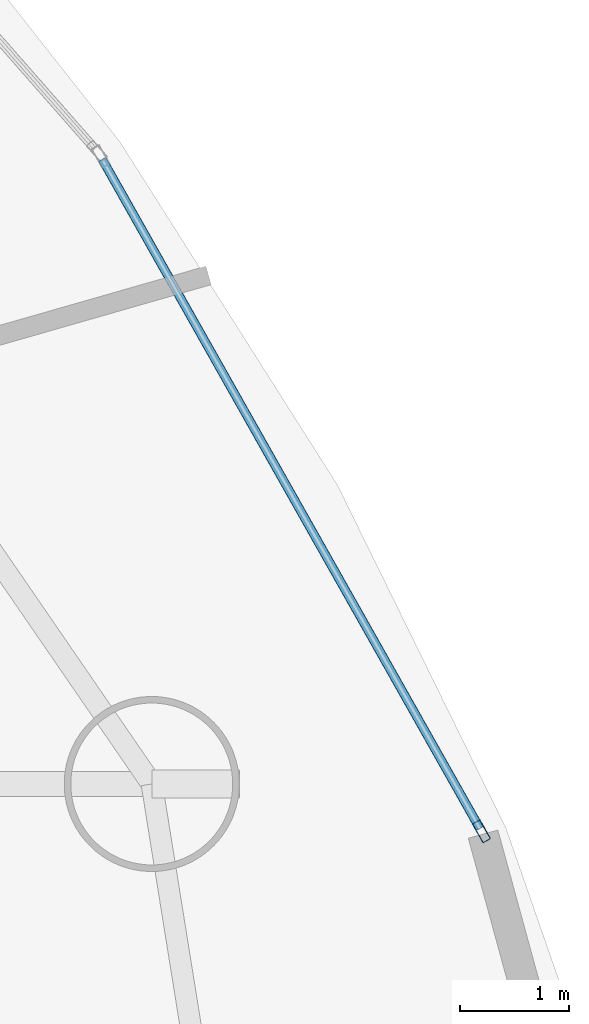
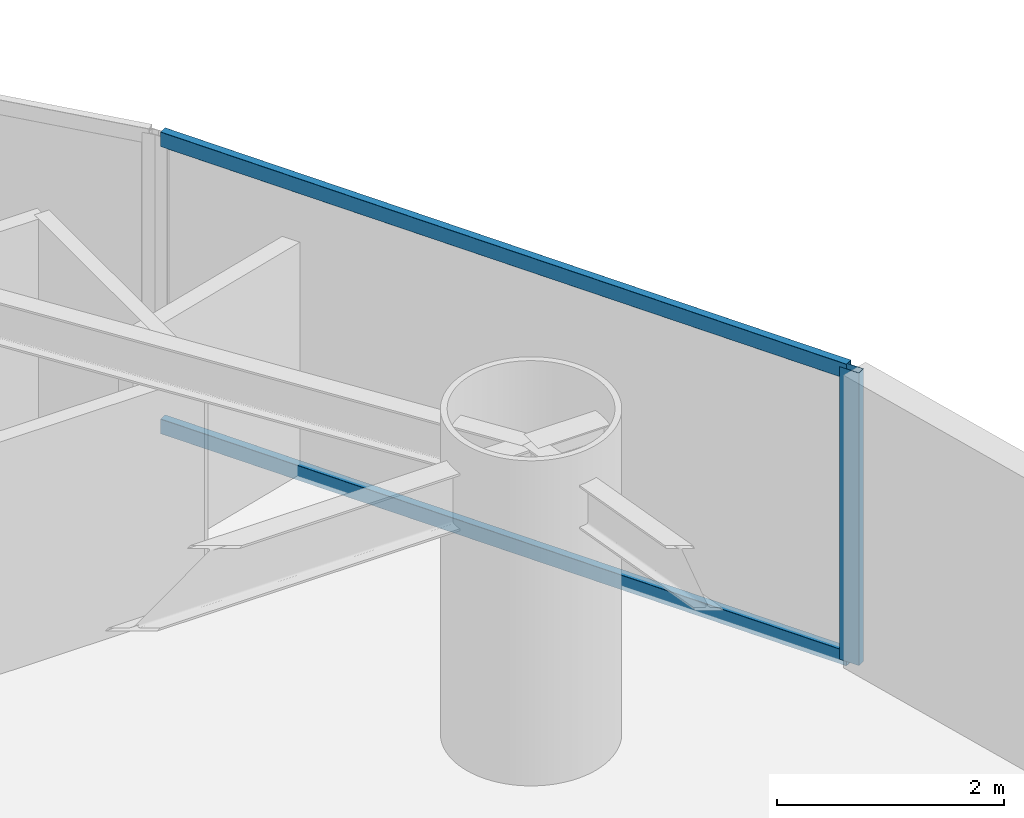
# One storey, part 10 of 25: 3 members, 1 element without a shape of its own.
"""IFC4 building model written with IfcOpenShell, lengths in metres."""

from ifc_helpers import new_model, si_unit, direction, frame, origin, origin_2d, place, context, subcontext, project, spatial, hollow_rectangle, extrude, material, layer, layer_set, material_profile, profile_set, type_object, element, aggregate, save


model = new_model("IFC4")

# Units and contexts
model_context = context("Model", 3, precision=1e-05, world=origin(), true_north=direction((0.0, 1.0)))
body_context = subcontext(model_context, "Body", "Model", "MODEL_VIEW")
ifc_project = project(units=[si_unit("LENGTHUNIT", "METRE"), si_unit("AREAUNIT", "SQUARE_METRE"), si_unit("VOLUMEUNIT", "CUBIC_METRE"), si_unit("PLANEANGLEUNIT", "RADIAN"), si_unit("MASSUNIT", "GRAM", prefix="KILO")], contexts=[model_context])

# Site, building, storey
site_placement = place(None, origin())
site = spatial("IfcSite", under=ifc_project, at=site_placement, CompositionType="ELEMENT")
building_placement = place(site_placement, origin())
building = spatial("IfcBuilding", under=site, at=building_placement, Name="Bramvorn Convention Spire", CompositionType="ELEMENT")
storey_placement = place(building_placement, frame((0.0, 0.0, 93.89990234375)))
storey = spatial("IfcBuildingStorey", under=building, at=storey_placement, Name="L22", CompositionType="ELEMENT", Elevation=93.89990234375)

# Curtain wall, members
ifc_material_1 = material(Name="Anodised Bronze Unitised Curtain Wall", Category="aluminium")
ifc_layer = layer(ifc_material_1, 0.179931640625)
ifc_layer_set = layer_set([ifc_layer], Name="Anodised Bronze Unitised Curtain Wall - CW-HTL-FRIT")
curtain_wall_type = type_object("IfcCurtainWallType", Name="CW-HTL-FRIT", PredefinedType="USERDEFINED", material=ifc_layer_set)
curtain_wall_placement = place(storey_placement, origin())
curtain_wall = element("IfcCurtainWall", 1, at=curtain_wall_placement, inside=storey, type_object=curtain_wall_type, Name="L22 fritted glass curtain wall 03", ObjectType="UNITISED CURTAIN WALL", PredefinedType="USERDEFINED")
ifc_material_2 = material(Name="Anodised Bronze Aluminium 6063-T6", Category="aluminium")
ifc_material_profile_1 = material_profile(ifc_material_2, hollow_rectangle(XDim=0.080078125, YDim=0.199951171875, WallThickness=0.00390625, InnerFilletRadius=0.0009765625, OuterFilletRadius=0.00390625, at=origin_2d()))
ifc_profile_set_1 = profile_set([ifc_material_profile_1], Name="Anodised Bronze Aluminium 6063-T6 - CWM80X200")
member_type_1 = type_object("IfcMemberType", Name="CW-MUL-180", PredefinedType="MULLION", material=ifc_profile_set_1)
member_1_placement = place(storey_placement, frame((68.35205078125, 28.907470703125, 0.0), z_axis=(0.0, 0.0, 1.0), x_axis=(0.870895349302, 0.491468504143, 0.0)))
member_1 = element("IfcMember", 2, at=member_1_placement, type_object=member_type_1, Name="CW2 mullion 2", PredefinedType="MULLION", context=body_context, shape_type="SweptSolid", body=[
    extrude(hollow_rectangle(XDim=0.080078125, YDim=0.199951171875, WallThickness=0.00390625, InnerFilletRadius=0.0009765625, OuterFilletRadius=0.00390625, at=origin_2d()), origin(), (0.0, 0.0, 1.0), 3.150146484375),
])
ifc_material_profile_2 = material_profile(ifc_material_2, hollow_rectangle(XDim=0.080078125, YDim=0.159912109375, WallThickness=0.00390625, InnerFilletRadius=0.0009765625, OuterFilletRadius=0.00390625, at=origin_2d()))
ifc_profile_set_2 = profile_set([ifc_material_profile_2], Name="Anodised Bronze Aluminium 6063-T6 - CWT80X160")
member_type_2 = type_object("IfcMemberType", Name="CW-TRN-150", PredefinedType="USERDEFINED", material=ifc_profile_set_2)
member_2_placement = place(storey_placement, frame((64.885986328125, 35.0498046875, 0.030029296875), z_axis=(0.491455745557, -0.870902549175, 0.0), x_axis=(0.870902549175, 0.491455745557, 0.0)))
member_2 = element("IfcMember", 3, at=member_2_placement, type_object=member_type_2, Name="CW2 transom 1.1", ObjectType="TRANSOM", PredefinedType="USERDEFINED", context=body_context, shape_type="SweptSolid", body=[
    extrude(hollow_rectangle(XDim=0.080078125, YDim=0.159912109375, WallThickness=0.00390625, InnerFilletRadius=0.0009765625, OuterFilletRadius=0.00390625, at=origin_2d()), origin(), (0.0, 0.0, 1.0), 7.02294921875),
])
member_3_placement = place(storey_placement, frame((64.885986328125, 35.0498046875, 3.1201171875), z_axis=(0.491455745557, -0.870902549175, 0.0), x_axis=(0.870902549175, 0.491455745557, 0.0)))
member_3 = element("IfcMember", 4, at=member_3_placement, type_object=member_type_2, Name="CW2 transom 1.2", ObjectType="TRANSOM", PredefinedType="USERDEFINED", context=body_context, shape_type="SweptSolid", body=[
    extrude(hollow_rectangle(XDim=0.080078125, YDim=0.159912109375, WallThickness=0.00390625, InnerFilletRadius=0.0009765625, OuterFilletRadius=0.00390625, at=origin_2d()), origin(), (0.0, 0.0, 1.0), 7.02294921875),
])
aggregate(curtain_wall, [member_1, member_2, member_3])

save(model, "model.ifc")
